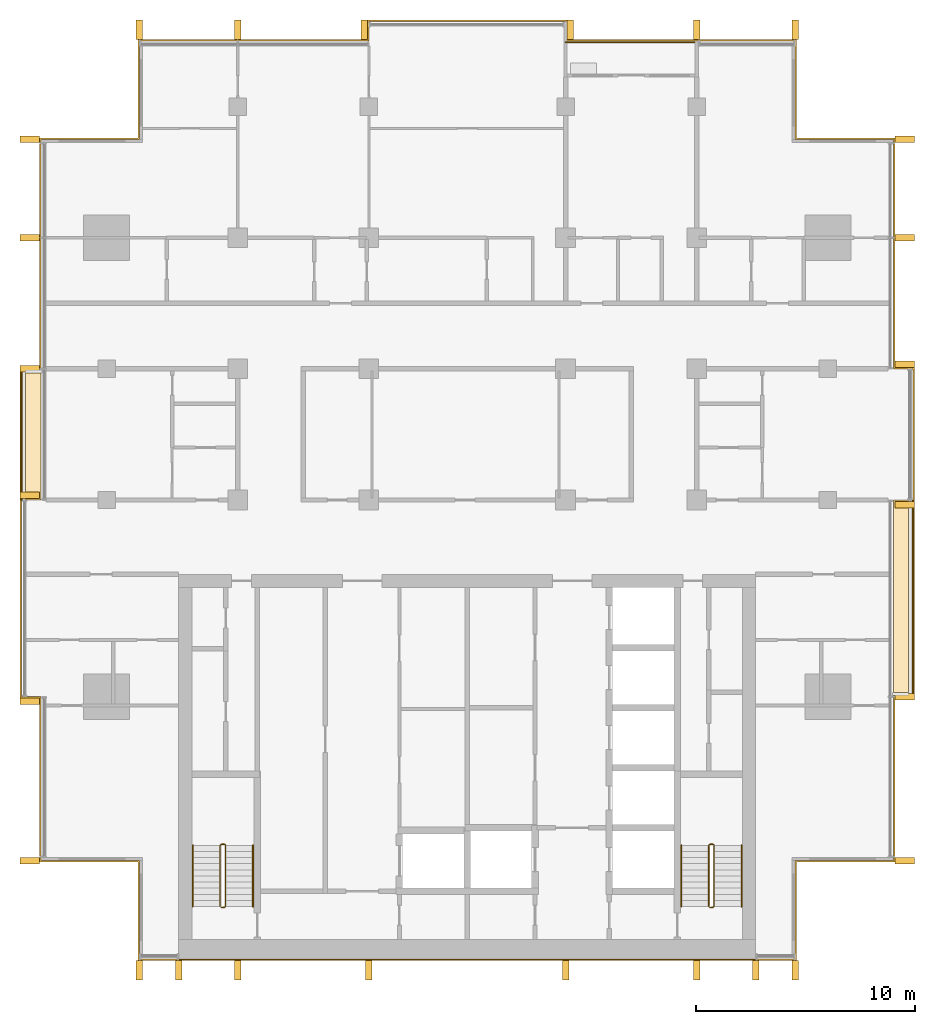
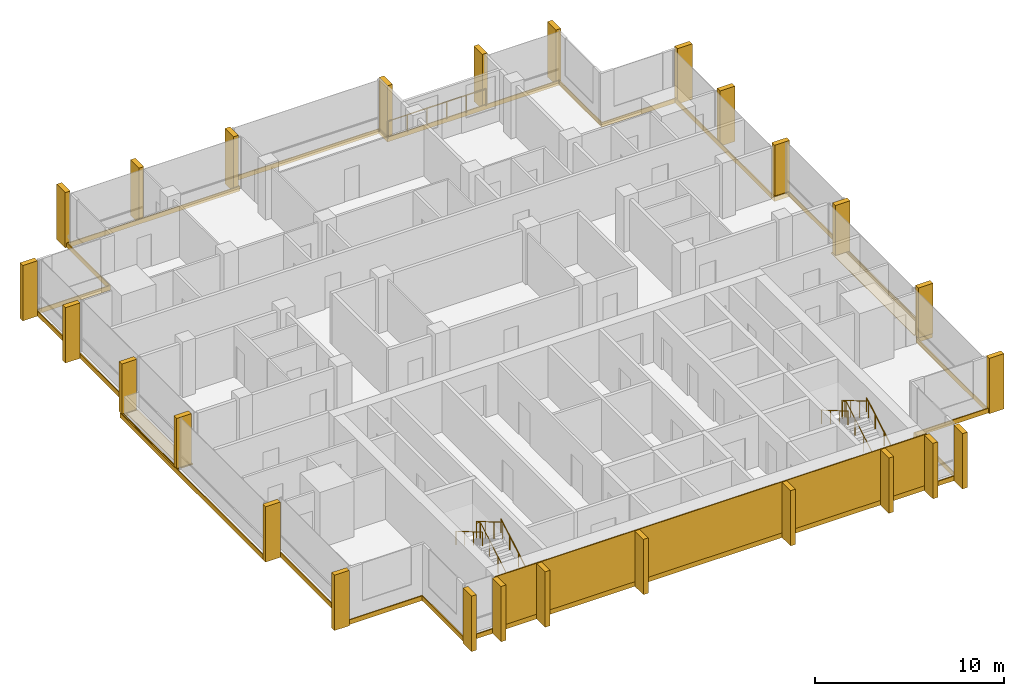
# One storey, part 16 of 16: 26 shading devices, 10 coverings, 7 railings.
"""IFC4 building model written with IfcOpenShell, lengths in metres."""

from ifc_helpers import new_model, si_unit, direction, frame, origin, origin_2d, place, context, subcontext, project, spatial, polyline, rectangle, circle, outline, extrude, material, layer, layer_set, type_object, element, save


model = new_model("IFC4")

# Units and contexts
model_context = context("Model", 3, precision=1e-05, world=origin(), true_north=direction((0.0, 1.0)))
body_context = subcontext(model_context, "Body", "Model", "MODEL_VIEW")
ifc_project = project(units=[si_unit("LENGTHUNIT", "METRE"), si_unit("AREAUNIT", "SQUARE_METRE"), si_unit("VOLUMEUNIT", "CUBIC_METRE"), si_unit("PLANEANGLEUNIT", "RADIAN"), si_unit("MASSUNIT", "GRAM", prefix="KILO")], contexts=[model_context])

# Site, building, storey
site_placement = place(None, origin())
site = spatial("IfcSite", under=ifc_project, at=site_placement, CompositionType="ELEMENT")
building_placement = place(site_placement, origin())
building = spatial("IfcBuilding", under=site, at=building_placement, Name="Finial Court Residences", CompositionType="ELEMENT")
storey_placement = place(building_placement, frame((0.0, 0.0, 241.10009765625)))
storey = spatial("IfcBuildingStorey", under=building, at=storey_placement, Name="L61", CompositionType="ELEMENT", Elevation=241.10009765625)

# Railing
ifc_material_1 = material(Name="Bronze anodised aluminium", Category="aluminium")
railing_type_1 = type_object("IfcRailingType", Name="Balcony guard 1100", PredefinedType="GUARDRAIL", material=ifc_material_1)
railing_1_placement = place(storey_placement, frame((4.5, 16.449951171875, 0.0)))
element("IfcRailing", 1, at=railing_1_placement, inside=storey, type_object=railing_type_1, Name="E-L61-BALN4-R", PredefinedType="GUARDRAIL", context=body_context, shape_type="SweptSolid", body=[
    extrude(circle(Radius=0.02392578125, at=origin_2d()), frame((0.0, 0.0, 1.076171875), z_axis=(1.0, 0.0, 0.0), x_axis=(0.0, 1.0, 0.0)), (0.0, 0.0, 1.0), 6.0),
    extrude(circle(Radius=0.02099609375, at=origin_2d()), origin(), (0.0, 0.0, 1.0), 1.052001953125),
    extrude(circle(Radius=0.02099609375, at=origin_2d()), frame((1.199951171875, 0.0, 0.0)), (0.0, 0.0, 1.0), 1.052001953125),
    extrude(circle(Radius=0.02099609375, at=origin_2d()), frame((2.39990234375, 0.0, 0.0)), (0.0, 0.0, 1.0), 1.052001953125),
    extrude(circle(Radius=0.02099609375, at=origin_2d()), frame((3.60009765625, 0.0, 0.0)), (0.0, 0.0, 1.0), 1.052001953125),
    extrude(circle(Radius=0.02099609375, at=origin_2d()), frame((4.800048828125, 0.0, 0.0)), (0.0, 0.0, 1.0), 1.052001953125),
    extrude(circle(Radius=0.02099609375, at=origin_2d()), frame((6.0, 0.0, 0.0)), (0.0, 0.0, 1.0), 1.052001953125),
])

# Coverings
ifc_material_2 = material(Name="Natural limestone", Category="masonry")
ifc_layer_1 = layer(ifc_material_2, 0.06005859375)
ifc_layer_set_1 = layer_set([ifc_layer_1], Name="Limestone cladding to the blind core face 60")
covering_type_1 = type_object("IfcCoveringType", Name="Limestone cladding to the blind core face 60", PredefinedType="CLADDING", material=ifc_layer_set_1)
covering_1_placement = place(storey_placement, origin())
element("IfcCovering", 2, at=covering_1_placement, inside=storey, type_object=covering_type_1, Name="E-L61-CLAD1", PredefinedType="CLADDING", context=body_context, shape_type="SweptSolid", body=[
    extrude(outline(polyline([(-10.5, -25.56005859375), (-10.5, -25.5), (-13.199951171875, -25.5), (-13.199951171875, -25.56005859375), (-10.5, -25.56005859375)])), origin(), (0.0, 0.0, 1.0), 3.2998046875),
])
covering_2_placement = place(storey_placement, origin())
element("IfcCovering", 3, at=covering_2_placement, inside=storey, type_object=covering_type_1, Name="E-L61-CLAD2", PredefinedType="CLADDING", context=body_context, shape_type="SweptSolid", body=[
    extrude(outline(polyline([(-4.5, -25.56005859375), (-4.5, -25.5), (-10.5, -25.5), (-10.5, -25.56005859375), (-4.5, -25.56005859375)])), origin(), (0.0, 0.0, 1.0), 3.2998046875),
])
covering_3_placement = place(storey_placement, origin())
element("IfcCovering", 4, at=covering_3_placement, inside=storey, type_object=covering_type_1, Name="E-L61-CLAD3", PredefinedType="CLADDING", context=body_context, shape_type="SweptSolid", body=[
    extrude(outline(polyline([(4.5, -25.56005859375), (4.5, -25.5), (-4.5, -25.5), (-4.5, -25.56005859375), (4.5, -25.56005859375)])), origin(), (0.0, 0.0, 1.0), 3.2998046875),
])
covering_4_placement = place(storey_placement, origin())
element("IfcCovering", 5, at=covering_4_placement, inside=storey, type_object=covering_type_1, Name="E-L61-CLAD4", PredefinedType="CLADDING", context=body_context, shape_type="SweptSolid", body=[
    extrude(outline(polyline([(10.5, -25.56005859375), (10.5, -25.5), (4.5, -25.5), (4.5, -25.56005859375), (10.5, -25.56005859375)])), origin(), (0.0, 0.0, 1.0), 3.2998046875),
])
covering_5_placement = place(storey_placement, origin())
element("IfcCovering", 6, at=covering_5_placement, inside=storey, type_object=covering_type_1, Name="E-L61-CLAD5", PredefinedType="CLADDING", context=body_context, shape_type="SweptSolid", body=[
    extrude(outline(polyline([(13.199951171875, -25.56005859375), (13.199951171875, -25.5), (10.5, -25.5), (10.5, -25.56005859375), (13.199951171875, -25.56005859375)])), origin(), (0.0, 0.0, 1.0), 3.2998046875),
])

# Shading devices
shading_device_type = type_object("IfcShadingDeviceType", Name="Limestone fin 300 x 900", PredefinedType="USERDEFINED", material=ifc_material_2)
for number, where, z_axis, x_axis, name in (
    (7, (-15.0, 17.010009765625, -0.300048828125), (0.0, 0.0, 1.0), (1.0, 0.0, 0.0), "E-L61-FIN-N1"),
    (8, (-10.5, 17.010009765625, -0.300048828125), (0.0, 0.0, 1.0), (1.0, 0.0, 0.0), "E-L61-FIN-N2"),
    (9, (-4.7099609375, 17.010009765625, -0.300048828125), (0.0, 0.0, 1.0), (1.0, 0.0, 0.0), "E-L61-FIN-N3"),
    (10, (4.7099609375, 17.010009765625, -0.300048828125), (0.0, 0.0, 1.0), (1.0, 0.0, 0.0), "E-L61-FIN-N4"),
    (11, (10.5, 17.010009765625, -0.300048828125), (0.0, 0.0, 1.0), (1.0, 0.0, 0.0), "E-L61-FIN-N5"),
    (12, (15.0, 17.010009765625, -0.300048828125), (0.0, 0.0, 1.0), (1.0, 0.0, 0.0), "E-L61-FIN-N6"),
):
    element("IfcShadingDevice", number, at=place(storey_placement, frame(where, z_axis=z_axis, x_axis=x_axis)), inside=storey, type_object=shading_device_type, Name=name, ObjectType="FIN", PredefinedType="USERDEFINED", context=body_context, shape_type="SweptSolid", body=[
        extrude(rectangle(XDim=0.300048828125, YDim=0.89990234375, at=origin_2d()), origin(), (0.0, 0.0, 1.0), 3.580078125),
    ])
shading_device_placement = place(storey_placement, frame((20.010009765625, -21.0, -0.300048828125), z_axis=(0.0, 0.0, 1.0), x_axis=(1.0, 0.0, 0.0)))
element("IfcShadingDevice", 13, at=shading_device_placement, inside=storey, type_object=shading_device_type, Name="E-L61-FIN-E7", ObjectType="FIN", PredefinedType="USERDEFINED", context=body_context, shape_type="SweptSolid", body=[
    extrude(rectangle(XDim=0.89990234375, YDim=0.300048828125, at=origin_2d()), origin(), (0.0, 0.0, 1.0), 3.580078125),
])
for number, where, z_axis, x_axis, name in (
    (14, (20.010009765625, -13.5, 0.0400390625), (0.0, 0.0, 1.0), (1.0, 0.0, 0.0), "E-L61-FIN-E8"),
    (15, (20.010009765625, -4.7099609375, 0.0400390625), (0.0, 0.0, 1.0), (1.0, 0.0, 0.0), "E-L61-FIN-E9"),
):
    element("IfcShadingDevice", number, at=place(storey_placement, frame(where, z_axis=z_axis, x_axis=x_axis)), inside=storey, type_object=shading_device_type, Name=name, ObjectType="FIN", PredefinedType="USERDEFINED", context=body_context, shape_type="SweptSolid", body=[
        extrude(rectangle(XDim=0.89990234375, YDim=0.300048828125, at=origin_2d()), origin(), (0.0, 0.0, 1.0), 3.239990234375),
    ])
for number, where, z_axis, x_axis, name in (
    (16, (20.010009765625, 1.7099609375, -0.300048828125), (0.0, 0.0, 1.0), (1.0, 0.0, 0.0), "E-L61-FIN-E10"),
    (17, (20.010009765625, 7.5, -0.300048828125), (0.0, 0.0, 1.0), (1.0, 0.0, 0.0), "E-L61-FIN-E11"),
    (18, (20.010009765625, 12.0, -0.300048828125), (0.0, 0.0, 1.0), (1.0, 0.0, 0.0), "E-L61-FIN-E12"),
):
    element("IfcShadingDevice", number, at=place(storey_placement, frame(where, z_axis=z_axis, x_axis=x_axis)), inside=storey, type_object=shading_device_type, Name=name, ObjectType="FIN", PredefinedType="USERDEFINED", context=body_context, shape_type="SweptSolid", body=[
        extrude(rectangle(XDim=0.89990234375, YDim=0.300048828125, at=origin_2d()), origin(), (0.0, 0.0, 1.0), 3.580078125),
    ])
for number, where, z_axis, x_axis, name in (
    (19, (-15.0, -26.010009765625, -0.300048828125), (0.0, 0.0, 1.0), (1.0, 0.0, 0.0), "E-L61-FIN-S13"),
    (20, (-13.199951171875, -26.010009765625, -0.300048828125), (0.0, 0.0, 1.0), (1.0, 0.0, 0.0), "E-L61-FIN-S14"),
    (21, (-10.5, -26.010009765625, -0.300048828125), (0.0, 0.0, 1.0), (1.0, 0.0, 0.0), "E-L61-FIN-S15"),
    (22, (-4.5, -26.010009765625, -0.300048828125), (0.0, 0.0, 1.0), (1.0, 0.0, 0.0), "E-L61-FIN-S16"),
    (23, (4.5, -26.010009765625, -0.300048828125), (0.0, 0.0, 1.0), (1.0, 0.0, 0.0), "E-L61-FIN-S17"),
    (24, (10.5, -26.010009765625, -0.300048828125), (0.0, 0.0, 1.0), (1.0, 0.0, 0.0), "E-L61-FIN-S18"),
    (25, (13.199951171875, -26.010009765625, -0.300048828125), (0.0, 0.0, 1.0), (1.0, 0.0, 0.0), "E-L61-FIN-S19"),
    (26, (15.0, -26.010009765625, -0.300048828125), (0.0, 0.0, 1.0), (1.0, 0.0, 0.0), "E-L61-FIN-S20"),
):
    element("IfcShadingDevice", number, at=place(storey_placement, frame(where, z_axis=z_axis, x_axis=x_axis)), inside=storey, type_object=shading_device_type, Name=name, ObjectType="FIN", PredefinedType="USERDEFINED", context=body_context, shape_type="SweptSolid", body=[
        extrude(rectangle(XDim=0.300048828125, YDim=0.89990234375, at=origin_2d()), origin(), (0.0, 0.0, 1.0), 3.580078125),
    ])
for number, where, z_axis, x_axis, name in (
    (27, (-20.010009765625, -21.0, -0.300048828125), (0.0, 0.0, 1.0), (1.0, 0.0, 0.0), "E-L61-FIN-W21"),
    (28, (-20.010009765625, -13.7099609375, -0.300048828125), (0.0, 0.0, 1.0), (1.0, 0.0, 0.0), "E-L61-FIN-W22"),
):
    element("IfcShadingDevice", number, at=place(storey_placement, frame(where, z_axis=z_axis, x_axis=x_axis)), inside=storey, type_object=shading_device_type, Name=name, ObjectType="FIN", PredefinedType="USERDEFINED", context=body_context, shape_type="SweptSolid", body=[
        extrude(rectangle(XDim=0.89990234375, YDim=0.300048828125, at=origin_2d()), origin(), (0.0, 0.0, 1.0), 3.580078125),
    ])
for number, where, z_axis, x_axis, name in (
    (29, (-20.010009765625, -4.2900390625, 0.0400390625), (0.0, 0.0, 1.0), (1.0, 0.0, 0.0), "E-L61-FIN-W23"),
    (30, (-20.010009765625, 1.5, 0.0400390625), (0.0, 0.0, 1.0), (1.0, 0.0, 0.0), "E-L61-FIN-W24"),
):
    element("IfcShadingDevice", number, at=place(storey_placement, frame(where, z_axis=z_axis, x_axis=x_axis)), inside=storey, type_object=shading_device_type, Name=name, ObjectType="FIN", PredefinedType="USERDEFINED", context=body_context, shape_type="SweptSolid", body=[
        extrude(rectangle(XDim=0.89990234375, YDim=0.300048828125, at=origin_2d()), origin(), (0.0, 0.0, 1.0), 3.239990234375),
    ])
for number, where, z_axis, x_axis, name in (
    (31, (-20.010009765625, 7.5, -0.300048828125), (0.0, 0.0, 1.0), (1.0, 0.0, 0.0), "E-L61-FIN-W25"),
    (32, (-20.010009765625, 12.0, -0.300048828125), (0.0, 0.0, 1.0), (1.0, 0.0, 0.0), "E-L61-FIN-W26"),
):
    element("IfcShadingDevice", number, at=place(storey_placement, frame(where, z_axis=z_axis, x_axis=x_axis)), inside=storey, type_object=shading_device_type, Name=name, ObjectType="FIN", PredefinedType="USERDEFINED", context=body_context, shape_type="SweptSolid", body=[
        extrude(rectangle(XDim=0.89990234375, YDim=0.300048828125, at=origin_2d()), origin(), (0.0, 0.0, 1.0), 3.580078125),
    ])

# Coverings
ifc_material_3 = material(Name="Pale limestone", Category="masonry")
ifc_layer_2 = layer(ifc_material_3, 0.06005859375)
ifc_layer_set_2 = layer_set([ifc_layer_2], Name="Pale limestone slab-edge band 60")
covering_type_2 = type_object("IfcCoveringType", Name="Pale limestone slab-edge band 60", PredefinedType="CLADDING", material=ifc_layer_set_2)
covering_6_placement = place(storey_placement, frame((0.0, 0.0, -0.300048828125)))
element("IfcCovering", 33, at=covering_6_placement, inside=storey, type_object=covering_type_2, Name="E-L61-BAND1", PredefinedType="CLADDING", context=body_context, shape_type="SweptSolid", body=[
    extrude(outline(polyline([(15.06005859375, -21.06005859375), (15.06005859375, -25.56005859375), (-15.06005859375, -25.56005859375), (-15.06005859375, -21.06005859375), (-19.56005859375, -21.06005859375), (-19.56005859375, -13.56005859375), (-20.4599609375, -13.56005859375), (-20.4599609375, 1.56005859375), (-19.56005859375, 1.56005859375), (-19.56005859375, 12.06005859375), (-15.06005859375, 12.06005859375), (-15.06005859375, 16.56005859375), (-4.56005859375, 16.56005859375), (-4.56005859375, 17.4599609375), (4.56005859375, 17.4599609375), (4.56005859375, 16.56005859375), (15.06005859375, 16.56005859375), (15.06005859375, 12.06005859375), (19.56005859375, 12.06005859375), (19.56005859375, 1.56005859375), (20.4599609375, 1.56005859375), (20.4599609375, -13.56005859375), (19.56005859375, -13.56005859375), (19.56005859375, -21.06005859375), (15.06005859375, -21.06005859375)]), holes=[polyline([(19.5, -13.5), (20.39990234375, -13.5), (20.39990234375, -4.5), (20.39990234375, 1.5), (19.5, 1.5), (19.5, 12.0), (15.0, 12.0), (15.0, 16.5), (10.5, 16.5), (4.5, 16.5), (4.5, 17.39990234375), (-4.5, 17.39990234375), (-4.5, 16.5), (-15.0, 16.5), (-15.0, 12.0), (-19.5, 12.0), (-19.5, 1.5), (-20.39990234375, 1.5), (-20.39990234375, -4.5), (-20.39990234375, -13.5), (-19.5, -13.5), (-19.5, -21.0), (-15.0, -21.0), (-15.0, -25.5), (15.0, -25.5), (15.0, -21.0), (19.5, -21.0), (19.5, -13.5)])]), origin(), (0.0, 0.0, 1.0), 0.300048828125),
])
ifc_material_4 = material(Name="Bitumen membrane")
ifc_layer_3 = layer(ifc_material_4, 0.0400390625)
ifc_layer_set_3 = layer_set([ifc_layer_3], Name="Push box roofing, bitumen membrane 40")
covering_type_3 = type_object("IfcCoveringType", Name="Push box roofing, bitumen membrane 40", PredefinedType="ROOFING", material=ifc_layer_set_3)
covering_7_placement = place(storey_placement, origin())
element("IfcCovering", 34, at=covering_7_placement, inside=storey, type_object=covering_type_3, Name="E-L61-LED1", PredefinedType="ROOFING", context=body_context, shape_type="SweptSolid", body=[
    extrude(outline(polyline([(-19.5, 1.449951171875), (-20.199951171875, 1.449951171875), (-20.35009765625, 1.449951171875), (-20.35009765625, -4.5), (-20.39990234375, -4.5), (-20.39990234375, 1.5), (-19.5, 1.5), (-19.5, 1.449951171875)])), origin(), (0.0, 0.0, 1.0), 0.039794921875),
])
covering_8_placement = place(storey_placement, origin())
element("IfcCovering", 35, at=covering_8_placement, inside=storey, type_object=covering_type_3, Name="E-L61-LED1b", PredefinedType="ROOFING", context=body_context, shape_type="SweptSolid", body=[
    extrude(outline(polyline([(-19.5, -4.5), (-20.199951171875, -4.5), (-20.199951171875, 1.300048828125), (-19.5, 1.300048828125), (-19.5, -4.5)])), origin(), (0.0, 0.0, 1.0), 0.039794921875),
])
covering_9_placement = place(storey_placement, origin())
element("IfcCovering", 36, at=covering_9_placement, inside=storey, type_object=covering_type_3, Name="E-L61-LED2", PredefinedType="ROOFING", context=body_context, shape_type="SweptSolid", body=[
    extrude(outline(polyline([(19.5, -13.449951171875), (20.199951171875, -13.449951171875), (20.35009765625, -13.449951171875), (20.35009765625, -4.5), (20.39990234375, -4.5), (20.39990234375, -13.5), (19.5, -13.5), (19.5, -13.449951171875)])), origin(), (0.0, 0.0, 1.0), 0.039794921875),
])
covering_10_placement = place(storey_placement, origin())
element("IfcCovering", 37, at=covering_10_placement, inside=storey, type_object=covering_type_3, Name="E-L61-LED2b", PredefinedType="ROOFING", context=body_context, shape_type="SweptSolid", body=[
    extrude(outline(polyline([(19.5, -4.5), (20.199951171875, -4.5), (20.199951171875, -13.300048828125), (19.5, -13.300048828125), (19.5, -4.5)])), origin(), (0.0, 0.0, 1.0), 0.039794921875),
])

# Railings
ifc_material_5 = material(Name="Stainless steel railing", Category="steel")
railing_type_2 = type_object("IfcRailingType", Name="Stair guard 1100", PredefinedType="GUARDRAIL", material=ifc_material_5)
railing_2_placement = place(storey_placement, frame((-11.10009765625, -23.14990234375, 0.0)))
element("IfcRailing", 38, at=railing_2_placement, inside=storey, type_object=railing_type_2, Name="L61 ST-1 stair guard 1", PredefinedType="GUARDRAIL", context=body_context, shape_type="SweptSolid", body=[
    extrude(circle(Radius=0.02392578125, at=origin_2d()), frame((0.0, 0.0, 1.076171875), z_axis=(-1.0, 0.0, 0.0), x_axis=(0.0, -1.0, 0.0)), (0.0, 0.0, 1.0), 0.14990234375),
    extrude(circle(Radius=0.02392578125, at=origin_2d()), frame((-0.14990234375, 0.0, 1.076171875), z_axis=(0.760004195007, 0.189305074214, 0.621737253547), x_axis=(-0.241699205484, 0.970351222016, 0.0)), (0.0, 0.0, 1.0), 0.26318359375),
    extrude(circle(Radius=0.02392578125, at=origin_2d()), frame((0.050048828125, 0.0498046875, 1.23974609375), z_axis=(0.0, 0.863393664356, 0.504530851732), x_axis=(-1.0, 0.0, 0.0)), (0.0, 0.0, 1.0), 3.2431640625),
    extrude(circle(Radius=0.02392578125, at=origin_2d()), frame((0.050048828125, 2.849853515625, 2.8759765625), z_axis=(-0.707106781187, 0.707106781187, 0.0), x_axis=(-0.707106781187, -0.707106781187, 0.0)), (0.0, 0.0, 1.0), 0.07080078125),
    extrude(circle(Radius=0.02392578125, at=origin_2d()), frame((0.0, 2.89990234375, 2.8759765625), z_axis=(-1.0, 0.0, 0.0), x_axis=(0.0, -1.0, 0.0)), (0.0, 0.0, 1.0), 0.14990234375),
    extrude(circle(Radius=0.02392578125, at=origin_2d()), frame((-0.14990234375, 2.89990234375, 2.8759765625), z_axis=(-0.280456126637, -0.280456126637, 0.917980785237), x_axis=(0.707106781187, -0.707106781187, 0.0)), (0.0, 0.0, 1.0), 0.178466796875),
    extrude(circle(Radius=0.02392578125, at=origin_2d()), frame((-0.199951171875, 2.849853515625, 3.03955078125), z_axis=(0.0, -0.863393664356, 0.504530851732), x_axis=(1.0, 0.0, 0.0)), (0.0, 0.0, 1.0), 3.2431640625),
    extrude(circle(Radius=0.02099609375, at=origin_2d()), origin(), (0.0, 0.0, 1.0), 1.052001953125),
    extrude(circle(Radius=0.02099609375, at=origin_2d()), frame((-0.14990234375, 0.0, 0.0)), (0.0, 0.0, 1.0), 1.052001953125),
    extrude(circle(Radius=0.02099609375, at=origin_2d()), frame((0.050048828125, 0.0498046875, 0.16357421875)), (0.0, 0.0, 1.0), 1.052001953125),
    extrude(circle(Radius=0.02099609375, at=origin_2d()), frame((0.050048828125, 0.983154296875, 0.708984375)), (0.0, 0.0, 1.0), 1.052001953125),
    extrude(circle(Radius=0.02099609375, at=origin_2d()), frame((0.050048828125, 1.91650390625, 1.25439453125)), (0.0, 0.0, 1.0), 1.052001953125),
    extrude(circle(Radius=0.02099609375, at=origin_2d()), frame((0.050048828125, 2.849853515625, 1.7998046875)), (0.0, 0.0, 1.0), 1.052001953125),
    extrude(circle(Radius=0.02099609375, at=origin_2d()), frame((0.0, 2.89990234375, 1.7998046875)), (0.0, 0.0, 1.0), 1.052001953125),
    extrude(circle(Radius=0.02099609375, at=origin_2d()), frame((-0.14990234375, 2.89990234375, 1.7998046875)), (0.0, 0.0, 1.0), 1.052001953125),
    extrude(circle(Radius=0.02099609375, at=origin_2d()), frame((-0.199951171875, 2.849853515625, 1.963623046875)), (0.0, 0.0, 1.0), 1.052001953125),
    extrude(circle(Radius=0.02099609375, at=origin_2d()), frame((-0.199951171875, 1.91650390625, 2.509033203125)), (0.0, 0.0, 1.0), 1.052001953125),
    extrude(circle(Radius=0.02099609375, at=origin_2d()), frame((-0.199951171875, 0.983154296875, 3.054443359375)), (0.0, 0.0, 1.0), 1.052001953125),
    extrude(circle(Radius=0.02099609375, at=origin_2d()), frame((-0.199951171875, 0.0498046875, 3.599853515625)), (0.0, 0.0, 1.0), 1.052001953125),
])
railing_3_placement = place(storey_placement, frame((11.25, -23.14990234375, 0.0)))
element("IfcRailing", 39, at=railing_3_placement, inside=storey, type_object=railing_type_2, Name="L61 ST-2 stair guard 1", PredefinedType="GUARDRAIL", context=body_context, shape_type="SweptSolid", body=[
    extrude(circle(Radius=0.02392578125, at=origin_2d()), frame((0.0, 0.0, 1.076171875), z_axis=(-1.0, 0.0, 0.0), x_axis=(0.0, -1.0, 0.0)), (0.0, 0.0, 1.0), 0.14990234375),
    extrude(circle(Radius=0.02392578125, at=origin_2d()), frame((-0.14990234375, 0.0, 1.076171875), z_axis=(0.760004195007, 0.189305074214, 0.621737253547), x_axis=(-0.241699205484, 0.970351222016, 0.0)), (0.0, 0.0, 1.0), 0.26318359375),
    extrude(circle(Radius=0.02392578125, at=origin_2d()), frame((0.050048828125, 0.0498046875, 1.23974609375), z_axis=(0.0, 0.863393664356, 0.504530851732), x_axis=(-1.0, 0.0, 0.0)), (0.0, 0.0, 1.0), 3.2431640625),
    extrude(circle(Radius=0.02392578125, at=origin_2d()), frame((0.050048828125, 2.849853515625, 2.8759765625), z_axis=(-0.707106781187, 0.707106781187, 0.0), x_axis=(-0.707106781187, -0.707106781187, 0.0)), (0.0, 0.0, 1.0), 0.07080078125),
    extrude(circle(Radius=0.02392578125, at=origin_2d()), frame((0.0, 2.89990234375, 2.8759765625), z_axis=(-1.0, 0.0, 0.0), x_axis=(0.0, -1.0, 0.0)), (0.0, 0.0, 1.0), 0.14990234375),
    extrude(circle(Radius=0.02392578125, at=origin_2d()), frame((-0.14990234375, 2.89990234375, 2.8759765625), z_axis=(-0.280456126637, -0.280456126637, 0.917980785237), x_axis=(0.707106781187, -0.707106781187, 0.0)), (0.0, 0.0, 1.0), 0.178466796875),
    extrude(circle(Radius=0.02392578125, at=origin_2d()), frame((-0.199951171875, 2.849853515625, 3.03955078125), z_axis=(0.0, -0.863393664356, 0.504530851732), x_axis=(1.0, 0.0, 0.0)), (0.0, 0.0, 1.0), 3.2431640625),
    extrude(circle(Radius=0.02099609375, at=origin_2d()), origin(), (0.0, 0.0, 1.0), 1.052001953125),
    extrude(circle(Radius=0.02099609375, at=origin_2d()), frame((-0.14990234375, 0.0, 0.0)), (0.0, 0.0, 1.0), 1.052001953125),
    extrude(circle(Radius=0.02099609375, at=origin_2d()), frame((0.050048828125, 0.0498046875, 0.16357421875)), (0.0, 0.0, 1.0), 1.052001953125),
    extrude(circle(Radius=0.02099609375, at=origin_2d()), frame((0.050048828125, 0.983154296875, 0.708984375)), (0.0, 0.0, 1.0), 1.052001953125),
    extrude(circle(Radius=0.02099609375, at=origin_2d()), frame((0.050048828125, 1.91650390625, 1.25439453125)), (0.0, 0.0, 1.0), 1.052001953125),
    extrude(circle(Radius=0.02099609375, at=origin_2d()), frame((0.050048828125, 2.849853515625, 1.7998046875)), (0.0, 0.0, 1.0), 1.052001953125),
    extrude(circle(Radius=0.02099609375, at=origin_2d()), frame((0.0, 2.89990234375, 1.7998046875)), (0.0, 0.0, 1.0), 1.052001953125),
    extrude(circle(Radius=0.02099609375, at=origin_2d()), frame((-0.14990234375, 2.89990234375, 1.7998046875)), (0.0, 0.0, 1.0), 1.052001953125),
    extrude(circle(Radius=0.02099609375, at=origin_2d()), frame((-0.199951171875, 2.849853515625, 1.963623046875)), (0.0, 0.0, 1.0), 1.052001953125),
    extrude(circle(Radius=0.02099609375, at=origin_2d()), frame((-0.199951171875, 1.91650390625, 2.509033203125)), (0.0, 0.0, 1.0), 1.052001953125),
    extrude(circle(Radius=0.02099609375, at=origin_2d()), frame((-0.199951171875, 0.983154296875, 3.054443359375)), (0.0, 0.0, 1.0), 1.052001953125),
    extrude(circle(Radius=0.02099609375, at=origin_2d()), frame((-0.199951171875, 0.0498046875, 3.599853515625)), (0.0, 0.0, 1.0), 1.052001953125),
])
railing_type_3 = type_object("IfcRailingType", Name="Stair handrail 900", PredefinedType="HANDRAIL", material=ifc_material_5)
railing_4_placement = place(storey_placement, frame((-9.800048828125, -23.10009765625, 0.16357421875)))
element("IfcRailing", 40, at=railing_4_placement, inside=storey, type_object=railing_type_3, Name="L61 ST-1 stair handrail 1", PredefinedType="HANDRAIL", context=body_context, shape_type="SweptSolid", body=[
    extrude(circle(Radius=0.02392578125, at=origin_2d()), frame((0.0, 0.0, 0.8759765625), z_axis=(0.0, 0.863393664356, 0.504530851732), x_axis=(-1.0, 0.0, 0.0)), (0.0, 0.0, 1.0), 3.2431640625),
    extrude(circle(Radius=0.02099609375, at=origin_2d()), origin(), (0.0, 0.0, 1.0), 0.851806640625),
    extrude(circle(Radius=0.02099609375, at=origin_2d()), frame((0.0, 0.933349609375, 0.54541015625)), (0.0, 0.0, 1.0), 0.851806640625),
    extrude(circle(Radius=0.02099609375, at=origin_2d()), frame((0.0, 1.86669921875, 1.0908203125)), (0.0, 0.0, 1.0), 0.851806640625),
    extrude(circle(Radius=0.02099609375, at=origin_2d()), frame((0.0, 2.800048828125, 1.63623046875)), (0.0, 0.0, 1.0), 0.851806640625),
])
railing_5_placement = place(storey_placement, frame((-12.550048828125, -20.300048828125, 1.963623046875)))
element("IfcRailing", 41, at=railing_5_placement, inside=storey, type_object=railing_type_3, Name="L61 ST-1 stair handrail 2", PredefinedType="HANDRAIL", context=body_context, shape_type="SweptSolid", body=[
    extrude(circle(Radius=0.02392578125, at=origin_2d()), frame((0.0, 0.0, 0.8759765625), z_axis=(0.0, -0.863393664356, 0.504530851732), x_axis=(1.0, 0.0, 0.0)), (0.0, 0.0, 1.0), 3.2431640625),
    extrude(circle(Radius=0.02099609375, at=origin_2d()), origin(), (0.0, 0.0, 1.0), 0.851806640625),
    extrude(circle(Radius=0.02099609375, at=origin_2d()), frame((0.0, -0.933349609375, 0.54541015625)), (0.0, 0.0, 1.0), 0.851806640625),
    extrude(circle(Radius=0.02099609375, at=origin_2d()), frame((0.0, -1.86669921875, 1.0908203125)), (0.0, 0.0, 1.0), 0.851806640625),
    extrude(circle(Radius=0.02099609375, at=origin_2d()), frame((0.0, -2.800048828125, 1.63623046875)), (0.0, 0.0, 1.0), 0.851806640625),
])
railing_6_placement = place(storey_placement, frame((12.550048828125, -23.10009765625, 0.16357421875)))
element("IfcRailing", 42, at=railing_6_placement, inside=storey, type_object=railing_type_3, Name="L61 ST-2 stair handrail 1", PredefinedType="HANDRAIL", context=body_context, shape_type="SweptSolid", body=[
    extrude(circle(Radius=0.02392578125, at=origin_2d()), frame((0.0, 0.0, 0.8759765625), z_axis=(0.0, 0.863393664356, 0.504530851732), x_axis=(-1.0, 0.0, 0.0)), (0.0, 0.0, 1.0), 3.2431640625),
    extrude(circle(Radius=0.02099609375, at=origin_2d()), origin(), (0.0, 0.0, 1.0), 0.851806640625),
    extrude(circle(Radius=0.02099609375, at=origin_2d()), frame((0.0, 0.933349609375, 0.54541015625)), (0.0, 0.0, 1.0), 0.851806640625),
    extrude(circle(Radius=0.02099609375, at=origin_2d()), frame((0.0, 1.86669921875, 1.0908203125)), (0.0, 0.0, 1.0), 0.851806640625),
    extrude(circle(Radius=0.02099609375, at=origin_2d()), frame((0.0, 2.800048828125, 1.63623046875)), (0.0, 0.0, 1.0), 0.851806640625),
])
railing_7_placement = place(storey_placement, frame((9.800048828125, -20.300048828125, 1.963623046875)))
element("IfcRailing", 43, at=railing_7_placement, inside=storey, type_object=railing_type_3, Name="L61 ST-2 stair handrail 2", PredefinedType="HANDRAIL", context=body_context, shape_type="SweptSolid", body=[
    extrude(circle(Radius=0.02392578125, at=origin_2d()), frame((0.0, 0.0, 0.8759765625), z_axis=(0.0, -0.863393664356, 0.504530851732), x_axis=(1.0, 0.0, 0.0)), (0.0, 0.0, 1.0), 3.2431640625),
    extrude(circle(Radius=0.02099609375, at=origin_2d()), origin(), (0.0, 0.0, 1.0), 0.851806640625),
    extrude(circle(Radius=0.02099609375, at=origin_2d()), frame((0.0, -0.933349609375, 0.54541015625)), (0.0, 0.0, 1.0), 0.851806640625),
    extrude(circle(Radius=0.02099609375, at=origin_2d()), frame((0.0, -1.86669921875, 1.0908203125)), (0.0, 0.0, 1.0), 0.851806640625),
    extrude(circle(Radius=0.02099609375, at=origin_2d()), frame((0.0, -2.800048828125, 1.63623046875)), (0.0, 0.0, 1.0), 0.851806640625),
])

save(model, "model.ifc")
